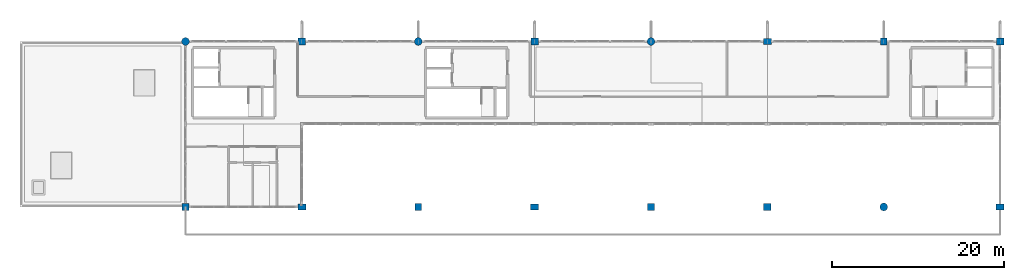
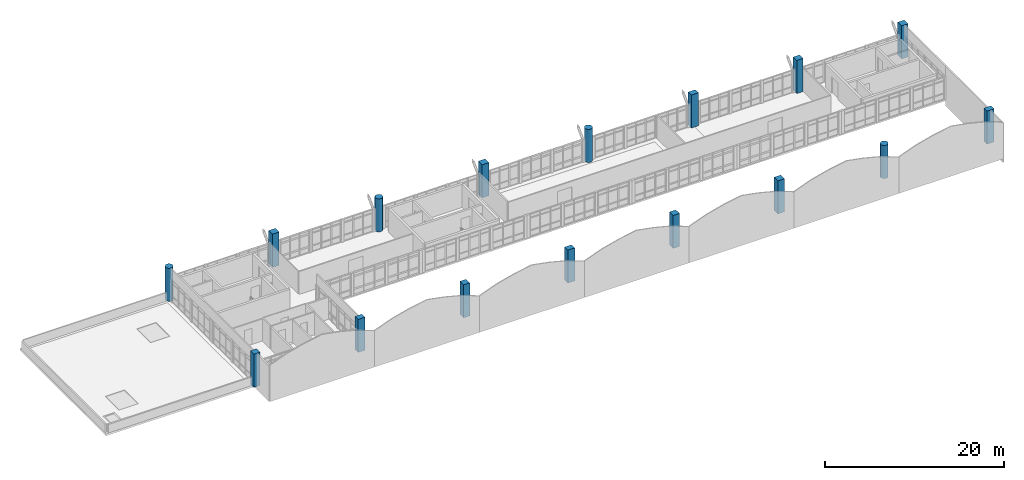
# One storey, part 1 of 37: 16 columns.
"""IFC4 building model written with IfcOpenShell, lengths in metres."""

from ifc_helpers import new_model, si_unit, direction, frame, origin, origin_2d, place, context, subcontext, project, spatial, rectangle, circle, extrude, material, material_profile, profile_set, type_object, element, save


model = new_model("IFC4")

# Units and contexts
model_context = context("Model", 3, precision=1e-05, world=origin(), true_north=direction((0.0, 1.0)))
body_context = subcontext(model_context, "Body", "Model", "MODEL_VIEW")
ifc_project = project(units=[si_unit("LENGTHUNIT", "METRE"), si_unit("AREAUNIT", "SQUARE_METRE"), si_unit("VOLUMEUNIT", "CUBIC_METRE"), si_unit("PLANEANGLEUNIT", "RADIAN"), si_unit("MASSUNIT", "GRAM", prefix="KILO")], contexts=[model_context])

# Site, building, storey
site_placement = place(None, origin())
site = spatial("IfcSite", under=ifc_project, at=site_placement, CompositionType="ELEMENT")
building_placement = place(site_placement, origin())
building = spatial("IfcBuilding", under=site, at=building_placement, Name="Fikremerkos Civic Library", CompositionType="ELEMENT")
storey_placement = place(building_placement, frame((0.0, 0.0, 23.39990234375)))
storey = spatial("IfcBuildingStorey", under=building, at=storey_placement, Name="L05", CompositionType="ELEMENT", Elevation=23.39990234375)

# Columns
ifc_material_1 = material(Name="Concrete C40/50", Category="concrete")
ifc_material_profile_1 = material_profile(ifc_material_1, rectangle(XDim=0.85009765625, YDim=0.85009765625, at=origin_2d()), Name="RC 850x850")
ifc_profile_set_1 = profile_set([ifc_material_profile_1], Name="Concrete C40/50")
column_type_1 = type_object("IfcColumnType", Name="Structural column COL-04 RC 850x850", PredefinedType="COLUMN", material=ifc_profile_set_1)
for number, where, z_axis, x_axis, name in (
    (1, (32.699951171875, 31.199951171875, 0.0), (0.0, 0.0, 1.0), (1.0, 0.0, 0.0), "Column COL-04 L05 4/G"),
    (2, (59.699951171875, 31.199951171875, 0.0), (0.0, 0.0, 1.0), (1.0, 0.0, 0.0), "Column COL-04 L05 6/G"),
    (3, (86.699951171875, 12.0, 0.0), (0.0, 0.0, 1.0), (1.0, 0.0, 0.0), "Column COL-04 L05 8/E"),
    (4, (113.699951171875, 31.199951171875, 0.0), (0.0, 0.0, 1.0), (1.0, 0.0, 0.0), "Column COL-04 L05 10/G"),
):
    element("IfcColumn", number, at=place(storey_placement, frame(where, z_axis=z_axis, x_axis=x_axis)), inside=storey, type_object=column_type_1, Name=name, PredefinedType="COLUMN", context=body_context, shape_type="SweptSolid", body=[
        extrude(rectangle(XDim=0.85009765625, YDim=0.85009765625, at=origin_2d()), origin(), (0.0, 0.0, 1.0), 4.5),
    ])
ifc_material_profile_2 = material_profile(ifc_material_1, rectangle(XDim=0.800048828125, YDim=0.800048828125, at=origin_2d()), Name="RC 800x800")
ifc_profile_set_2 = profile_set([ifc_material_profile_2], Name="Concrete C40/50")
column_type_2 = type_object("IfcColumnType", Name="Structural column COL-05 RC 800x800", PredefinedType="COLUMN", material=ifc_profile_set_2)
for number, where, z_axis, x_axis, name in (
    (5, (19.199951171875, 12.0, 0.0), (0.0, 0.0, 1.0), (1.0, 0.0, 0.0), "Column COL-05 L05 3/E"),
    (6, (46.199951171875, 12.0, 0.0), (0.0, 0.0, 1.0), (1.0, 0.0, 0.0), "Column COL-05 L05 5/E"),
    (7, (73.199951171875, 12.0, 0.0), (0.0, 0.0, 1.0), (1.0, 0.0, 0.0), "Column COL-05 L05 7/E"),
    (8, (100.199951171875, 31.199951171875, 0.0), (0.0, 0.0, 1.0), (1.0, 0.0, 0.0), "Column COL-05 L05 9/G"),
):
    element("IfcColumn", number, at=place(storey_placement, frame(where, z_axis=z_axis, x_axis=x_axis)), inside=storey, type_object=column_type_2, Name=name, PredefinedType="COLUMN", context=body_context, shape_type="SweptSolid", body=[
        extrude(rectangle(XDim=0.800048828125, YDim=0.800048828125, at=origin_2d()), origin(), (0.0, 0.0, 1.0), 4.5),
    ])
ifc_material_profile_3 = material_profile(ifc_material_1, rectangle(XDim=0.89990234375, YDim=0.699951171875, at=origin_2d()), Name="RC 900x700")
ifc_profile_set_3 = profile_set([ifc_material_profile_3], Name="Concrete C40/50")
column_type_3 = type_object("IfcColumnType", Name="Structural column COL-13 RC 900x700", PredefinedType="COLUMN", material=ifc_profile_set_3)
for number, where, z_axis, x_axis, name in (
    (9, (32.699951171875, 12.0, 0.0), (0.0, 0.0, 1.0), (1.0, 0.0, 0.0), "Column COL-13 L05 4/E"),
    (10, (59.699951171875, 12.0, 0.0), (0.0, 0.0, 1.0), (1.0, 0.0, 0.0), "Column COL-13 L05 6/E"),
    (11, (86.699951171875, 31.199951171875, 0.0), (0.0, 0.0, 1.0), (1.0, 0.0, 0.0), "Column COL-13 L05 8/G"),
    (12, (113.699951171875, 12.0, 0.0), (0.0, 0.0, 1.0), (1.0, 0.0, 0.0), "Column COL-13 L05 10/E"),
):
    element("IfcColumn", number, at=place(storey_placement, frame(where, z_axis=z_axis, x_axis=x_axis)), inside=storey, type_object=column_type_3, Name=name, PredefinedType="COLUMN", context=body_context, shape_type="SweptSolid", body=[
        extrude(rectangle(XDim=0.89990234375, YDim=0.699951171875, at=origin_2d()), origin(), (0.0, 0.0, 1.0), 4.5),
    ])
ifc_material_2 = material(Name="Concrete C45/55", Category="concrete")
ifc_material_profile_4 = material_profile(ifc_material_2, circle(Radius=0.449951171875, at=origin_2d()), Name="RC D900")
ifc_profile_set_4 = profile_set([ifc_material_profile_4], Name="Concrete C45/55")
column_type_4 = type_object("IfcColumnType", Name="Structural column COL-17 RC D900", PredefinedType="COLUMN", material=ifc_profile_set_4)
for number, where, z_axis, x_axis, name in (
    (13, (19.199951171875, 31.199951171875, 0.0), (0.0, 0.0, 1.0), (1.0, 0.0, 0.0), "Column COL-17 L05 3/G"),
    (14, (46.199951171875, 31.199951171875, 0.0), (0.0, 0.0, 1.0), (1.0, 0.0, 0.0), "Column COL-17 L05 5/G"),
    (15, (73.199951171875, 31.199951171875, 0.0), (0.0, 0.0, 1.0), (1.0, 0.0, 0.0), "Column COL-17 L05 7/G"),
    (16, (100.199951171875, 12.0, 0.0), (0.0, 0.0, 1.0), (1.0, 0.0, 0.0), "Column COL-17 L05 9/E"),
):
    element("IfcColumn", number, at=place(storey_placement, frame(where, z_axis=z_axis, x_axis=x_axis)), inside=storey, type_object=column_type_4, Name=name, PredefinedType="COLUMN", context=body_context, shape_type="SweptSolid", body=[
        extrude(circle(Radius=0.449951171875, at=origin_2d()), origin(), (0.0, 0.0, 1.0), 4.5),
    ])

save(model, "model.ifc")
